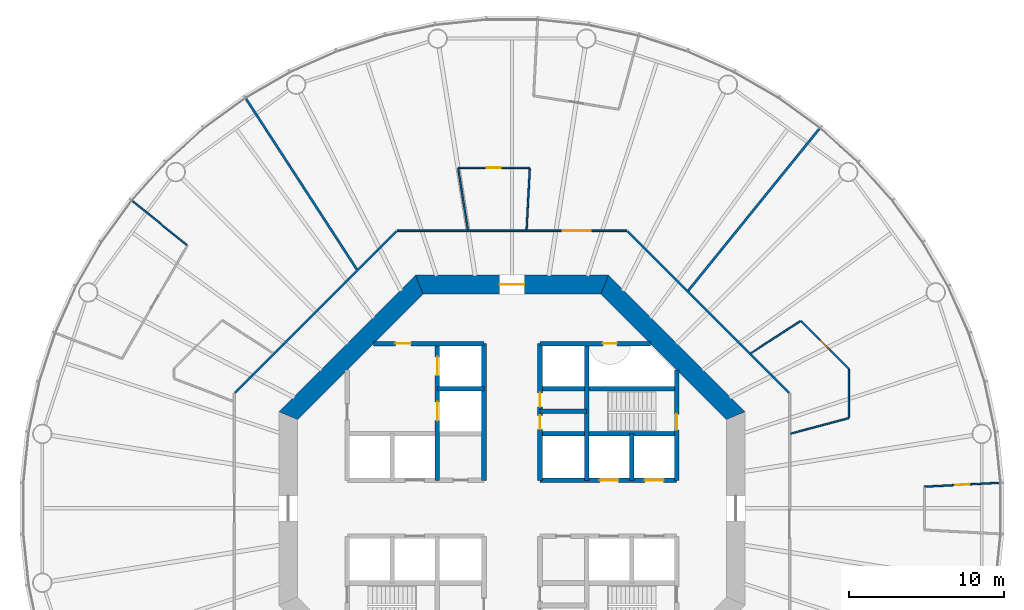
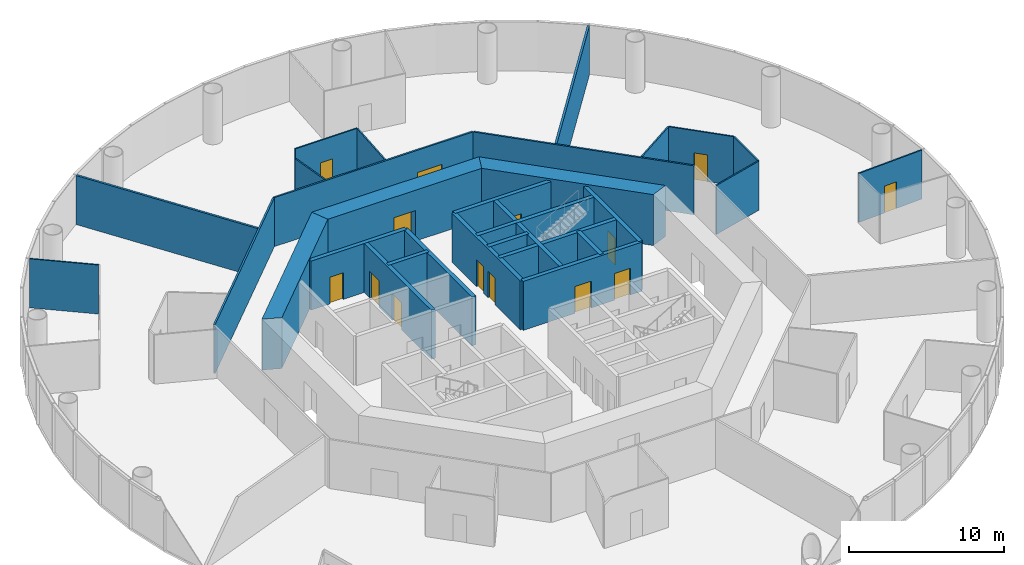
# One storey, part 5 of 13: 30 walls, 14 doors, 14 openings.
"""IFC4 building model written with IfcOpenShell, lengths in metres."""

from ifc_helpers import new_model, si_unit, direction, frame, frame_2d, origin, place, context, subcontext, project, spatial, polyline, rectangle, outline, extrude, material, layer, layer_set, type_object, element, fill, save


model = new_model("IFC4")

# Units and contexts
model_context = context("Model", 3, precision=1e-05, world=origin(), true_north=direction((0.0, 1.0)))
body_context = subcontext(model_context, "Body", "Model", "MODEL_VIEW")
ifc_project = project(units=[si_unit("LENGTHUNIT", "METRE"), si_unit("AREAUNIT", "SQUARE_METRE"), si_unit("VOLUMEUNIT", "CUBIC_METRE"), si_unit("PLANEANGLEUNIT", "RADIAN"), si_unit("MASSUNIT", "GRAM", prefix="KILO")], contexts=[model_context])

# Site, building, storey
site_placement = place(None, origin())
site = spatial("IfcSite", under=ifc_project, at=site_placement, CompositionType="ELEMENT")
building_placement = place(site_placement, origin())
building = spatial("IfcBuilding", under=site, at=building_placement, Name="Entoto Ring Tower", CompositionType="ELEMENT")
storey_placement = place(building_placement, frame((0.0, 0.0, 120.0)))
storey = spatial("IfcBuildingStorey", under=building, at=storey_placement, Name="L27", CompositionType="ELEMENT", Elevation=120.0)

# Wall, opening, door
ifc_material_1 = material(Name="Concrete C40/50", Category="concrete")
ifc_layer_1 = layer(ifc_material_1, 0.300048828125)
ifc_layer_set_1 = layer_set([ifc_layer_1], Name="Concrete C40/50")
wall_type_1 = type_object("IfcWallType", Name="Core enclosure wall 300 mm reinforced concrete", PredefinedType="SOLIDWALL", material=ifc_layer_set_1)
wall_1_placement = place(storey_placement, frame((100.60009765625, 81.800048828125, 0.0), z_axis=(0.0, 0.0, 1.0), x_axis=(0.0, 1.0, 0.0)))
wall_1 = element("IfcWall", 1, at=wall_1_placement, inside=storey, type_object=wall_type_1, Name="wall-L27-002", PredefinedType="SOLIDWALL", context=body_context, shape_type="SweptSolid", body=[
    extrude(rectangle(XDim=7.115966796875, YDim=0.300048828125, at=frame_2d((3.55810546875, 0.0))), origin(), (0.0, 0.0, 1.0), 3.85009765625),
])
opening_1_placement = place(wall_1_placement, frame((3.25, 0.0, 0.0)))
opening_1 = element("IfcOpeningElement", 2, at=opening_1_placement, cuts=wall_1, Name="Opening K-65", PredefinedType="OPENING", context=body_context, shape_type="SweptSolid", body=[
    extrude(rectangle(XDim=1.0, YDim=2.10009765625, at=frame_2d((0.5, 1.050048828125))), frame((0.0, 0.16015625, 0.0), z_axis=(0.0, -1.0, 0.0), x_axis=(1.0, 0.0, 0.0)), (0.0, 0.0, 1.0), 0.320068359375),
])
ifc_material_2 = material(Name="Steel door leaf, fire rated", Category="steel")
ifc_layer_2 = layer(ifc_material_2, 0.050048828125)
ifc_layer_set_2 = layer_set([ifc_layer_2], Name="Steel door leaf, fire rated")
door_type_1 = type_object("IfcDoorType", Name="Fire door FD60 1000 x 2100 single leaf", OperationType="NOTDEFINED", PredefinedType="DOOR", material=ifc_layer_set_2)
door_1_placement = place(opening_1_placement, origin())
door_1 = element("IfcDoor", 3, at=door_1_placement, inside=storey, type_object=door_type_1, Name="Door K-65", OperationType="SINGLE_SWING_RIGHT", OverallHeight=2.10009765625, OverallWidth=1.0, PredefinedType="DOOR", context=body_context, shape_type="SweptSolid", body=[
    extrude(rectangle(XDim=1.0, YDim=2.10009765625, at=frame_2d((0.5, 1.050048828125))), frame((0.0, 0.02490234375, 0.0), z_axis=(0.0, -1.0, 0.0), x_axis=(1.0, 0.0, 0.0)), (0.0, 0.0, 1.0), 0.050048828125),
])
fill(opening_1, door_1)

# Walls
wall_2_placement = place(storey_placement, frame((97.699951171875, 81.800048828125, 0.0), z_axis=(0.0, 0.0, 1.0), x_axis=(0.0, 1.0, 0.0)))
element("IfcWall", 4, at=wall_2_placement, inside=storey, type_object=wall_type_1, Name="wall-L27-004", PredefinedType="SOLIDWALL", context=body_context, shape_type="SweptSolid", body=[
    extrude(rectangle(XDim=3.0, YDim=0.300048828125, at=frame_2d((1.5, 0.0))), origin(), (0.0, 0.0, 1.0), 3.85009765625),
])
wall_3_placement = place(storey_placement, frame((94.800048828125, 81.800048828125, 0.0), z_axis=(0.0, 0.0, 1.0), x_axis=(0.0, 1.0, 0.0)))
element("IfcWall", 5, at=wall_3_placement, inside=storey, type_object=wall_type_1, Name="wall-L27-006", PredefinedType="SOLIDWALL", context=body_context, shape_type="SweptSolid", body=[
    extrude(rectangle(XDim=8.800048828125, YDim=0.300048828125, at=frame_2d((4.39990234375, 0.0))), origin(), (0.0, 0.0, 1.0), 3.85009765625),
])

# Wall, openings, doors
wall_4_placement = place(storey_placement, frame((91.800048828125, 81.800048828125, 0.0), z_axis=(0.0, 0.0, 1.0), x_axis=(0.0, 1.0, 0.0)))
wall_4 = element("IfcWall", 6, at=wall_4_placement, inside=storey, type_object=wall_type_1, Name="wall-L27-008", PredefinedType="SOLIDWALL", context=body_context, shape_type="SweptSolid", body=[
    extrude(rectangle(XDim=8.800048828125, YDim=0.300048828125, at=frame_2d((4.39990234375, 0.0))), origin(), (0.0, 0.0, 1.0), 3.85009765625),
])
opening_2_placement = place(wall_4_placement, frame((3.27490234375, 0.0, 0.0)))
opening_2 = element("IfcOpeningElement", 7, at=opening_2_placement, cuts=wall_4, Name="Opening K-11", PredefinedType="OPENING", context=body_context, shape_type="SweptSolid", body=[
    extrude(rectangle(XDim=0.89990234375, YDim=2.10009765625, at=frame_2d((0.449951171875, 1.050048828125))), frame((0.0, 0.16015625, 0.0), z_axis=(0.0, -1.0, 0.0), x_axis=(1.0, 0.0, 0.0)), (0.0, 0.0, 1.0), 0.320068359375),
])
opening_3_placement = place(wall_4_placement, frame((4.72509765625, 0.0, 0.0)))
opening_3 = element("IfcOpeningElement", 8, at=opening_3_placement, cuts=wall_4, Name="Opening K-12", PredefinedType="OPENING", context=body_context, shape_type="SweptSolid", body=[
    extrude(rectangle(XDim=0.89990234375, YDim=2.10009765625, at=frame_2d((0.449951171875, 1.050048828125))), frame((0.0, 0.16015625, 0.0), z_axis=(0.0, -1.0, 0.0), x_axis=(1.0, 0.0, 0.0)), (0.0, 0.0, 1.0), 0.320068359375),
])
ifc_material_3 = material(Name="Steel door leaf, fire rated", Category="steel")
ifc_layer_3 = layer(ifc_material_3, 0.050048828125)
ifc_layer_set_3 = layer_set([ifc_layer_3], Name="Steel door leaf, fire rated")
door_type_2 = type_object("IfcDoorType", Name="Core door 900 x 2100 single leaf", OperationType="NOTDEFINED", PredefinedType="DOOR", material=ifc_layer_set_3)
door_2_placement = place(opening_2_placement, origin())
door_2 = element("IfcDoor", 9, at=door_2_placement, inside=storey, type_object=door_type_2, Name="Door K-11", OperationType="SINGLE_SWING_RIGHT", OverallHeight=2.10009765625, OverallWidth=0.89990234375, PredefinedType="DOOR", context=body_context, shape_type="SweptSolid", body=[
    extrude(rectangle(XDim=0.89990234375, YDim=2.10009765625, at=frame_2d((0.449951171875, 1.050048828125))), frame((0.0, 0.02490234375, 0.0), z_axis=(0.0, -1.0, 0.0), x_axis=(1.0, 0.0, 0.0)), (0.0, 0.0, 1.0), 0.050048828125),
])
fill(opening_2, door_2)
door_3_placement = place(opening_3_placement, origin())
door_3 = element("IfcDoor", 10, at=door_3_placement, inside=storey, type_object=door_type_2, Name="Door K-12", OperationType="SINGLE_SWING_RIGHT", OverallHeight=2.10009765625, OverallWidth=0.89990234375, PredefinedType="DOOR", context=body_context, shape_type="SweptSolid", body=[
    extrude(rectangle(XDim=0.89990234375, YDim=2.10009765625, at=frame_2d((0.449951171875, 1.050048828125))), frame((0.0, 0.02490234375, 0.0), z_axis=(0.0, -1.0, 0.0), x_axis=(1.0, 0.0, 0.0)), (0.0, 0.0, 1.0), 0.050048828125),
])
fill(opening_3, door_3)

# Wall
wall_5_placement = place(storey_placement, frame((88.199951171875, 81.800048828125, 0.0), z_axis=(0.0, 0.0, 1.0), x_axis=(0.0, 1.0, 0.0)))
element("IfcWall", 11, at=wall_5_placement, inside=storey, type_object=wall_type_1, Name="wall-L27-010", PredefinedType="SOLIDWALL", context=body_context, shape_type="SweptSolid", body=[
    extrude(rectangle(XDim=8.800048828125, YDim=0.300048828125, at=frame_2d((4.39990234375, 0.0))), origin(), (0.0, 0.0, 1.0), 3.85009765625),
])

# Wall, openings, doors
wall_6_placement = place(storey_placement, frame((85.199951171875, 81.800048828125, 0.0), z_axis=(0.0, 0.0, 1.0), x_axis=(0.0, 1.0, 0.0)))
wall_6 = element("IfcWall", 12, at=wall_6_placement, inside=storey, type_object=wall_type_1, Name="wall-L27-012", PredefinedType="SOLIDWALL", context=body_context, shape_type="SweptSolid", body=[
    extrude(rectangle(XDim=8.800048828125, YDim=0.300048828125, at=frame_2d((4.39990234375, 0.0))), origin(), (0.0, 0.0, 1.0), 3.85009765625),
])
opening_4_placement = place(wall_6_placement, frame((3.85009765625, 0.0, 0.0)))
opening_4 = element("IfcOpeningElement", 13, at=opening_4_placement, cuts=wall_6, Name="Opening LD", PredefinedType="OPENING", context=body_context, shape_type="SweptSolid", body=[
    extrude(rectangle(XDim=1.199951171875, YDim=2.10009765625, at=frame_2d((0.60009765625, 1.050048828125))), frame((0.0, 0.16015625, 0.0), z_axis=(0.0, -1.0, 0.0), x_axis=(1.0, 0.0, 0.0)), (0.0, 0.0, 1.0), 0.320068359375),
])
opening_5_placement = place(wall_6_placement, frame((6.75, 0.0, 0.0)))
opening_5 = element("IfcOpeningElement", 14, at=opening_5_placement, cuts=wall_6, Name="Opening LD", PredefinedType="OPENING", context=body_context, shape_type="SweptSolid", body=[
    extrude(rectangle(XDim=1.199951171875, YDim=2.10009765625, at=frame_2d((0.60009765625, 1.050048828125))), frame((0.0, 0.16015625, 0.0), z_axis=(0.0, -1.0, 0.0), x_axis=(1.0, 0.0, 0.0)), (0.0, 0.0, 1.0), 0.320068359375),
])
ifc_material_4 = material(Name="Steel and glass door leaf", Category="steel")
ifc_layer_4 = layer(ifc_material_4, 0.050048828125)
ifc_layer_set_4 = layer_set([ifc_layer_4], Name="Steel and glass door leaf")
door_type_3 = type_object("IfcDoorType", Name="Landing door 1200 x 2100 sliding", OperationType="DOUBLE_DOOR_SLIDING", PredefinedType="DOOR", material=ifc_layer_set_4)
door_4_placement = place(opening_4_placement, origin())
door_4 = element("IfcDoor", 15, at=door_4_placement, inside=storey, type_object=door_type_3, Name="Landing door FF1", OperationType="SLIDING_TO_RIGHT", OverallHeight=2.10009765625, OverallWidth=1.199951171875, PredefinedType="DOOR", context=body_context, shape_type="SweptSolid", body=[
    extrude(rectangle(XDim=1.199951171875, YDim=2.10009765625, at=frame_2d((0.60009765625, 1.050048828125))), frame((0.0, 0.02490234375, 0.0), z_axis=(0.0, -1.0, 0.0), x_axis=(1.0, 0.0, 0.0)), (0.0, 0.0, 1.0), 0.050048828125),
])
fill(opening_4, door_4)
door_5_placement = place(opening_5_placement, origin())
door_5 = element("IfcDoor", 16, at=door_5_placement, inside=storey, type_object=door_type_3, Name="Landing door FF2", OperationType="SLIDING_TO_RIGHT", OverallHeight=2.10009765625, OverallWidth=1.199951171875, PredefinedType="DOOR", context=body_context, shape_type="SweptSolid", body=[
    extrude(rectangle(XDim=1.199951171875, YDim=2.10009765625, at=frame_2d((0.60009765625, 1.050048828125))), frame((0.0, 0.02490234375, 0.0), z_axis=(0.0, -1.0, 0.0), x_axis=(1.0, 0.0, 0.0)), (0.0, 0.0, 1.0), 0.050048828125),
])
fill(opening_5, door_5)

wall_7_placement = place(storey_placement, frame((91.800048828125, 81.800048828125, 0.0), z_axis=(0.0, 0.0, 1.0), x_axis=(1.0, 0.0, 0.0)))
wall_7 = element("IfcWall", 17, at=wall_7_placement, inside=storey, type_object=wall_type_1, Name="wall-L27-028", PredefinedType="SOLIDWALL", context=body_context, shape_type="SweptSolid", body=[
    extrude(rectangle(XDim=8.800048828125, YDim=0.300048828125, at=frame_2d((4.39990234375, 0.0))), origin(), (0.0, 0.0, 1.0), 3.85009765625),
])
opening_6_placement = place(wall_7_placement, frame((3.85009765625, 0.0, 0.0)))
opening_6 = element("IfcOpeningElement", 18, at=opening_6_placement, cuts=wall_7, Name="Opening LD", PredefinedType="OPENING", context=body_context, shape_type="SweptSolid", body=[
    extrude(rectangle(XDim=1.199951171875, YDim=2.10009765625, at=frame_2d((0.60009765625, 1.050048828125))), frame((0.0, 0.16015625, 0.0), z_axis=(0.0, -1.0, 0.0), x_axis=(1.0, 0.0, 0.0)), (0.0, 0.0, 1.0), 0.320068359375),
])
opening_7_placement = place(wall_7_placement, frame((6.75, 0.0, 0.0)))
opening_7 = element("IfcOpeningElement", 19, at=opening_7_placement, cuts=wall_7, Name="Opening LD", PredefinedType="OPENING", context=body_context, shape_type="SweptSolid", body=[
    extrude(rectangle(XDim=1.199951171875, YDim=2.10009765625, at=frame_2d((0.60009765625, 1.050048828125))), frame((0.0, 0.16015625, 0.0), z_axis=(0.0, -1.0, 0.0), x_axis=(1.0, 0.0, 0.0)), (0.0, 0.0, 1.0), 0.320068359375),
])
door_6_placement = place(opening_6_placement, origin())
door_6 = element("IfcDoor", 20, at=door_6_placement, inside=storey, type_object=door_type_3, Name="Landing door LB1-LR", OperationType="SLIDING_TO_RIGHT", OverallHeight=2.10009765625, OverallWidth=1.199951171875, PredefinedType="DOOR", context=body_context, shape_type="SweptSolid", body=[
    extrude(rectangle(XDim=1.199951171875, YDim=2.10009765625, at=frame_2d((0.60009765625, 1.050048828125))), frame((0.0, 0.02490234375, 0.0), z_axis=(0.0, -1.0, 0.0), x_axis=(1.0, 0.0, 0.0)), (0.0, 0.0, 1.0), 0.050048828125),
])
fill(opening_6, door_6)
door_7_placement = place(opening_7_placement, origin())
door_7 = element("IfcDoor", 21, at=door_7_placement, inside=storey, type_object=door_type_3, Name="Landing door LB2-LR", OperationType="SLIDING_TO_RIGHT", OverallHeight=2.10009765625, OverallWidth=1.199951171875, PredefinedType="DOOR", context=body_context, shape_type="SweptSolid", body=[
    extrude(rectangle(XDim=1.199951171875, YDim=2.10009765625, at=frame_2d((0.60009765625, 1.050048828125))), frame((0.0, 0.02490234375, 0.0), z_axis=(0.0, -1.0, 0.0), x_axis=(1.0, 0.0, 0.0)), (0.0, 0.0, 1.0), 0.050048828125),
])
fill(opening_7, door_7)

# Walls
wall_8_placement = place(storey_placement, frame((91.800048828125, 84.800048828125, 0.0), z_axis=(0.0, 0.0, 1.0), x_axis=(1.0, 0.0, 0.0)))
element("IfcWall", 22, at=wall_8_placement, inside=storey, type_object=wall_type_1, Name="wall-L27-030", PredefinedType="SOLIDWALL", context=body_context, shape_type="SweptSolid", body=[
    extrude(rectangle(XDim=8.800048828125, YDim=0.300048828125, at=frame_2d((4.39990234375, 0.0))), origin(), (0.0, 0.0, 1.0), 3.85009765625),
])
for number, where, z_axis, x_axis, name in (
    (23, (91.800048828125, 86.25, 0.0), (0.0, 0.0, 1.0), (1.0, 0.0, 0.0), "wall-L27-031"),
    (24, (85.199951171875, 87.699951171875, 0.0), (0.0, 0.0, 1.0), (1.0, 0.0, 0.0), "wall-L27-032"),
):
    element("IfcWall", number, at=place(storey_placement, frame(where, z_axis=z_axis, x_axis=x_axis)), inside=storey, type_object=wall_type_1, Name=name, PredefinedType="SOLIDWALL", context=body_context, shape_type="SweptSolid", body=[
        extrude(rectangle(XDim=3.0, YDim=0.300048828125, at=frame_2d((1.5, 0.0))), origin(), (0.0, 0.0, 1.0), 3.85009765625),
    ])
wall_9_placement = place(storey_placement, frame((91.800048828125, 87.699951171875, 0.0), z_axis=(0.0, 0.0, 1.0), x_axis=(1.0, 0.0, 0.0)))
element("IfcWall", 25, at=wall_9_placement, inside=storey, type_object=wall_type_1, Name="wall-L27-033", PredefinedType="SOLIDWALL", context=body_context, shape_type="SweptSolid", body=[
    extrude(rectangle(XDim=8.800048828125, YDim=0.300048828125, at=frame_2d((4.39990234375, 0.0))), origin(), (0.0, 0.0, 1.0), 3.85009765625),
])

# Wall, opening, door
wall_10_placement = place(storey_placement, frame((81.083984375, 90.60009765625, 0.0), z_axis=(0.0, 0.0, 1.0), x_axis=(1.0, 0.0, 0.0)))
wall_10 = element("IfcWall", 26, at=wall_10_placement, inside=storey, type_object=wall_type_1, Name="wall-L27-034", PredefinedType="SOLIDWALL", context=body_context, shape_type="SweptSolid", body=[
    extrude(rectangle(XDim=7.115966796875, YDim=0.300048828125, at=frame_2d((3.55810546875, 0.0))), origin(), (0.0, 0.0, 1.0), 3.85009765625),
])
opening_8_placement = place(wall_10_placement, frame((1.416015625, 0.0, 0.0)))
opening_8 = element("IfcOpeningElement", 27, at=opening_8_placement, cuts=wall_10, Name="Opening K-27", PredefinedType="OPENING", context=body_context, shape_type="SweptSolid", body=[
    extrude(rectangle(XDim=1.0, YDim=2.10009765625, at=frame_2d((0.5, 1.050048828125))), frame((0.0, 0.16015625, 0.0), z_axis=(0.0, -1.0, 0.0), x_axis=(1.0, 0.0, 0.0)), (0.0, 0.0, 1.0), 0.320068359375),
])
door_8_placement = place(opening_8_placement, frame((1.0, 0.0, 0.0), z_axis=(0.0, 0.0, 1.0), x_axis=(-1.0, 0.0, 0.0)))
door_8 = element("IfcDoor", 28, at=door_8_placement, inside=storey, type_object=door_type_1, Name="Door K-27", OperationType="SINGLE_SWING_RIGHT", OverallHeight=2.10009765625, OverallWidth=1.0, PredefinedType="DOOR", context=body_context, shape_type="SweptSolid", body=[
    extrude(rectangle(XDim=1.0, YDim=2.10009765625, at=frame_2d((0.5, 1.050048828125))), frame((0.0, 0.02490234375, 0.0), z_axis=(0.0, -1.0, 0.0), x_axis=(1.0, 0.0, 0.0)), (0.0, 0.0, 1.0), 0.050048828125),
])
fill(opening_8, door_8)

wall_11_placement = place(storey_placement, frame((91.800048828125, 90.60009765625, 0.0), z_axis=(0.0, 0.0, 1.0), x_axis=(1.0, 0.0, 0.0)))
wall_11 = element("IfcWall", 29, at=wall_11_placement, inside=storey, type_object=wall_type_1, Name="wall-L27-035", PredefinedType="SOLIDWALL", context=body_context, shape_type="SweptSolid", body=[
    extrude(rectangle(XDim=7.115966796875, YDim=0.300048828125, at=frame_2d((3.55810546875, 0.0))), origin(), (0.0, 0.0, 1.0), 3.85009765625),
])
opening_9_placement = place(wall_11_placement, frame((4.050048828125, 0.0, 0.0)))
opening_9 = element("IfcOpeningElement", 30, at=opening_9_placement, cuts=wall_11, Name="Opening K-72", PredefinedType="OPENING", context=body_context, shape_type="SweptSolid", body=[
    extrude(rectangle(XDim=0.89990234375, YDim=2.10009765625, at=frame_2d((0.449951171875, 1.050048828125))), frame((0.0, 0.16015625, 0.0), z_axis=(0.0, -1.0, 0.0), x_axis=(1.0, 0.0, 0.0)), (0.0, 0.0, 1.0), 0.320068359375),
])
ifc_material_5 = material(Name="Steel door leaf, fire rated", Category="steel")
ifc_layer_5 = layer(ifc_material_5, 0.050048828125)
ifc_layer_set_5 = layer_set([ifc_layer_5], Name="Steel door leaf, fire rated")
door_type_4 = type_object("IfcDoorType", Name="Riser door FD60 900 x 2100 single leaf", OperationType="NOTDEFINED", PredefinedType="DOOR", material=ifc_layer_set_5)
door_9_placement = place(opening_9_placement, frame((0.89990234375, 0.0, 0.0), z_axis=(0.0, 0.0, 1.0), x_axis=(-1.0, 0.0, 0.0)))
door_9 = element("IfcDoor", 31, at=door_9_placement, inside=storey, type_object=door_type_4, Name="Door K-72", OperationType="SINGLE_SWING_LEFT", OverallHeight=2.10009765625, OverallWidth=0.89990234375, PredefinedType="DOOR", context=body_context, shape_type="SweptSolid", body=[
    extrude(rectangle(XDim=0.89990234375, YDim=2.10009765625, at=frame_2d((0.449951171875, 1.050048828125))), frame((0.0, 0.02490234375, 0.0), z_axis=(0.0, -1.0, 0.0), x_axis=(1.0, 0.0, 0.0)), (0.0, 0.0, 1.0), 0.050048828125),
])
fill(opening_9, door_9)

# Wall
ifc_material_6 = material(Name="Concrete C60/75", Category="concrete")
ifc_layer_6 = layer(ifc_material_6, 1.199951171875)
ifc_layer_set_6 = layer_set([ifc_layer_6], Name="Concrete C60/75")
wall_type_2 = type_object("IfcWallType", Name="Core shear wall 1200 mm reinforced concrete C60/75", PredefinedType="SHEAR", material=ifc_layer_set_6)
wall_12_placement = place(storey_placement, frame((104.39990234375, 85.964599609375, 0.0), z_axis=(0.0, 0.0, 1.0), x_axis=(-0.707106781187, 0.707106781187, 0.0)))
element("IfcWall", 32, at=wall_12_placement, inside=storey, type_object=wall_type_2, Name="wall-L27-core-1", PredefinedType="SHEAR", context=body_context, shape_type="SweptSolid", body=[
    extrude(outline(polyline([(-0.24853515625, -0.60009765625), (12.177734375, -0.60009765625), (11.6806640625, 0.60009765625), (0.24853515625, 0.60009765625), (-0.24853515625, -0.60009765625)])), origin(), (0.0, 0.0, 1.0), 4.0),
])

# Wall, opening, door
wall_13_placement = place(storey_placement, frame((95.964599609375, 94.39990234375, 0.0), z_axis=(0.0, 0.0, 1.0), x_axis=(-1.0, 0.0, 0.0)))
wall_13 = element("IfcWall", 33, at=wall_13_placement, inside=storey, type_object=wall_type_2, Name="wall-L27-core-2", PredefinedType="SHEAR", context=body_context, shape_type="SweptSolid", body=[
    extrude(outline(polyline([(-0.24853515625, -0.60009765625), (12.177734375, -0.60009765625), (11.6806640625, 0.60009765625), (0.24853515625, 0.60009765625), (-0.24853515625, -0.60009765625)])), origin(), (0.0, 0.0, 1.0), 4.0),
])
opening_10_placement = place(wall_13_placement, frame((5.164794921875, 0.0, 0.0)))
opening_10 = element("IfcOpeningElement", 34, at=opening_10_placement, cuts=wall_13, Name="Opening K-02", PredefinedType="OPENING", context=body_context, shape_type="SweptSolid", body=[
    extrude(rectangle(XDim=1.60009765625, YDim=2.39990234375, at=frame_2d((0.800048828125, 1.199951171875))), frame((0.0, 0.60986328125, 0.0), z_axis=(0.0, -1.0, 0.0), x_axis=(1.0, 0.0, 0.0)), (0.0, 0.0, 1.0), 1.219970703125),
])
ifc_material_7 = material(Name="Steel door leaf, fire rated", Category="steel")
ifc_layer_7 = layer(ifc_material_7, 0.050048828125)
ifc_layer_set_7 = layer_set([ifc_layer_7], Name="Steel door leaf, fire rated")
door_type_5 = type_object("IfcDoorType", Name="Entrance door FD60 1600 x 2400 double leaf", OperationType="DOUBLE_DOOR_SINGLE_SWING", PredefinedType="DOOR", material=ifc_layer_set_7)
door_10_placement = place(opening_10_placement, origin())
door_10 = element("IfcDoor", 35, at=door_10_placement, inside=storey, type_object=door_type_5, Name="Entrance door K-02", OperationType="DOUBLE_DOOR_SINGLE_SWING", OverallHeight=2.39990234375, OverallWidth=1.60009765625, PredefinedType="DOOR", context=body_context, shape_type="SweptSolid", body=[
    extrude(rectangle(XDim=1.60009765625, YDim=2.39990234375, at=frame_2d((0.800048828125, 1.199951171875))), frame((0.0, 0.02490234375, 0.0), z_axis=(0.0, -1.0, 0.0), x_axis=(1.0, 0.0, 0.0)), (0.0, 0.0, 1.0), 0.050048828125),
])
fill(opening_10, door_10)

# Wall
wall_14_placement = place(storey_placement, frame((84.035400390625, 94.39990234375, 0.0), z_axis=(0.0, 0.0, 1.0), x_axis=(-0.707106781187, -0.707106781187, 0.0)))
element("IfcWall", 36, at=wall_14_placement, inside=storey, type_object=wall_type_2, Name="wall-L27-core-3", PredefinedType="SHEAR", context=body_context, shape_type="SweptSolid", body=[
    extrude(outline(polyline([(-0.24853515625, -0.60009765625), (12.177734375, -0.60009765625), (11.6806640625, 0.60009765625), (0.24853515625, 0.60009765625), (-0.24853515625, -0.60009765625)])), origin(), (0.0, 0.0, 1.0), 4.0),
])

# Wall, opening, door
ifc_material_8 = material(Name="Fire-resisting plasterboard on steel studs", Category="steel")
ifc_layer_8 = layer(ifc_material_8, 0.125)
ifc_layer_set_8 = layer_set([ifc_layer_8], Name="Fire-resisting plasterboard on steel studs")
wall_type_3 = type_object("IfcWallType", Name="Corridor wall 125 mm one-hour plasterboard on steel studs", PredefinedType="PARTITIONING", material=ifc_layer_set_8)
wall_15_placement = place(storey_placement, frame((82.60107421875, 97.862548828125, 0.0), z_axis=(0.0, 0.0, 1.0), x_axis=(1.0, 0.0, 0.0)))
wall_15 = element("IfcWall", 37, at=wall_15_placement, inside=storey, type_object=wall_type_3, Name="partition-L27-003", PredefinedType="PARTITIONING", context=body_context, shape_type="SweptSolid", body=[
    extrude(rectangle(XDim=14.7978515625, YDim=0.125, at=frame_2d((7.39892578125, 0.0))), origin(), (0.0, 0.0, 1.0), 3.85009765625),
])
opening_11_placement = place(wall_15_placement, frame((10.66650390625, 0.0, 0.0)))
opening_11 = element("IfcOpeningElement", 38, at=opening_11_placement, cuts=wall_15, Name="Opening A11-D04", PredefinedType="OPENING", context=body_context, shape_type="SweptSolid", body=[
    extrude(rectangle(XDim=1.800048828125, YDim=2.10009765625, at=frame_2d((0.89990234375, 1.050048828125))), frame((0.0, 0.072509765625, 0.0), z_axis=(0.0, -1.0, 0.0), x_axis=(1.0, 0.0, 0.0)), (0.0, 0.0, 1.0), 0.14501953125),
])
ifc_material_9 = material(Name="Fire-resisting timber door set", Category="wood")
door_type_6 = type_object("IfcDoorType", Name="Door 1800 x 2100 double leaf FD30S fire door", OperationType="DOUBLE_DOOR_SINGLE_SWING", PredefinedType="DOOR", material=ifc_material_9)
door_11_placement = place(opening_11_placement, origin())
door_11 = element("IfcDoor", 39, at=door_11_placement, inside=storey, type_object=door_type_6, Name="Door A11-D04", OperationType="DOUBLE_DOOR_SINGLE_SWING", OverallHeight=2.10009765625, OverallWidth=1.800048828125, PredefinedType="DOOR", context=body_context, shape_type="SweptSolid", body=[
    extrude(rectangle(XDim=1.800048828125, YDim=2.10009765625, at=frame_2d((0.89990234375, 1.050048828125))), frame((0.0, 0.02490234375, 0.0), z_axis=(0.0, -1.0, 0.0), x_axis=(1.0, 0.0, 0.0)), (0.0, 0.0, 1.0), 0.050048828125),
])
fill(opening_11, door_11)

# Walls
for number, where, z_axis, x_axis, name in (
    (40, (72.168701171875, 87.429931640625, 0.0), (0.0, 0.0, 1.0), (0.707106781187, 0.707106781187, 0.0), "partition-L27-005"),
    (41, (107.831298828125, 87.429931640625, 0.0), (0.0, 0.0, 1.0), (-0.707106781187, 0.707106781187, 0.0), "partition-L27-008"),
):
    element("IfcWall", number, at=place(storey_placement, frame(where, z_axis=z_axis, x_axis=x_axis)), inside=storey, type_object=wall_type_3, Name=name, PredefinedType="PARTITIONING", context=body_context, shape_type="SweptSolid", body=[
        extrude(rectangle(XDim=14.709716796875, YDim=0.125, at=frame_2d((7.35498046875, 0.0))), origin(), (0.0, 0.0, 1.0), 3.85009765625),
    ])

# Wall, opening, door
ifc_material_10 = material(Name="Plasterboard on steel studs", Category="steel")
ifc_layer_9 = layer(ifc_material_10, 0.10009765625)
ifc_layer_set_9 = layer_set([ifc_layer_9], Name="Plasterboard on steel studs")
wall_type_4 = type_object("IfcWallType", Name="Partition 100 mm plasterboard on steel studs", PredefinedType="PARTITIONING", material=ifc_layer_set_9)
wall_16_placement = place(storey_placement, frame((116.543701171875, 81.39111328125, 0.0), z_axis=(0.0, 0.0, 1.0), x_axis=(0.998629047007, 0.052345262185, 0.0)))
wall_16 = element("IfcWall", 42, at=wall_16_placement, inside=storey, type_object=wall_type_4, Name="partition-L27-020", PredefinedType="PARTITIONING", context=body_context, shape_type="SweptSolid", body=[
    extrude(rectangle(XDim=4.85986328125, YDim=0.10009765625, at=frame_2d((2.429931640625, 0.0))), origin(), (0.0, 0.0, 1.0), 3.85009765625),
])
opening_12_placement = place(wall_16_placement, frame((1.97998046875, 0.0, 0.0)))
opening_12 = element("IfcOpeningElement", 43, at=opening_12_placement, cuts=wall_16, Name="Opening A11-D03", PredefinedType="OPENING", context=body_context, shape_type="SweptSolid", body=[
    extrude(rectangle(XDim=0.89990234375, YDim=2.10009765625, at=frame_2d((0.449951171875, 1.050048828125))), frame((0.0, 0.06005859375, 0.0), z_axis=(0.0, -1.0, 0.0), x_axis=(1.0, 0.0, 0.0)), (0.0, 0.0, 1.0), 0.1201171875),
])
ifc_material_11 = material(Name="Veneered timber door leaf in timber frame", Category="wood")
door_type_7 = type_object("IfcDoorType", Name="Door 900 x 2100 single leaf timber veneer", OperationType="NOTDEFINED", PredefinedType="DOOR", material=ifc_material_11)
door_12_placement = place(opening_12_placement, frame((0.89990234375, 0.0, 0.0), z_axis=(0.0, 0.0, 1.0), x_axis=(-1.0, 0.0, 0.0)))
door_12 = element("IfcDoor", 44, at=door_12_placement, inside=storey, type_object=door_type_7, Name="Door A11-D03", OperationType="SINGLE_SWING_LEFT", OverallHeight=2.10009765625, OverallWidth=0.89990234375, PredefinedType="DOOR", context=body_context, shape_type="SweptSolid", body=[
    extrude(rectangle(XDim=0.89990234375, YDim=2.10009765625, at=frame_2d((0.449951171875, 1.050048828125))), frame((0.0, 0.02490234375, 0.0), z_axis=(0.0, -1.0, 0.0), x_axis=(1.0, 0.0, 0.0)), (0.0, 0.0, 1.0), 0.050048828125),
])
fill(opening_12, door_12)

wall_17_placement = place(storey_placement, frame((86.529296875, 101.91259765625, 0.0), z_axis=(0.0, 0.0, 1.0), x_axis=(1.0, 0.0, 0.0)))
wall_17 = element("IfcWall", 45, at=wall_17_placement, inside=storey, type_object=wall_type_4, Name="partition-L27-026", PredefinedType="PARTITIONING", context=body_context, shape_type="SweptSolid", body=[
    extrude(rectangle(XDim=4.619140625, YDim=0.10009765625, at=frame_2d((2.3095703125, 0.0))), origin(), (0.0, 0.0, 1.0), 3.85009765625),
])
opening_13_placement = place(wall_17_placement, frame((1.859619140625, 0.0, 0.0)))
opening_13 = element("IfcOpeningElement", 46, at=opening_13_placement, cuts=wall_17, Name="Opening A11-D05", PredefinedType="OPENING", context=body_context, shape_type="SweptSolid", body=[
    extrude(rectangle(XDim=0.89990234375, YDim=2.10009765625, at=frame_2d((0.449951171875, 1.050048828125))), frame((0.0, 0.06005859375, 0.0), z_axis=(0.0, -1.0, 0.0), x_axis=(1.0, 0.0, 0.0)), (0.0, 0.0, 1.0), 0.1201171875),
])
door_13_placement = place(opening_13_placement, frame((0.89990234375, 0.0, 0.0), z_axis=(0.0, 0.0, 1.0), x_axis=(-1.0, 0.0, 0.0)))
door_13 = element("IfcDoor", 47, at=door_13_placement, inside=storey, type_object=door_type_7, Name="Door A11-D05", OperationType="SINGLE_SWING_RIGHT", OverallHeight=2.10009765625, OverallWidth=0.89990234375, PredefinedType="DOOR", context=body_context, shape_type="SweptSolid", body=[
    extrude(rectangle(XDim=0.89990234375, YDim=2.10009765625, at=frame_2d((0.449951171875, 1.050048828125))), frame((0.0, 0.02490234375, 0.0), z_axis=(0.0, -1.0, 0.0), x_axis=(1.0, 0.0, 0.0)), (0.0, 0.0, 1.0), 0.050048828125),
])
fill(opening_13, door_13)

# Wall
wall_18_placement = place(storey_placement, frame((69.072021484375, 96.947265625, 0.0), z_axis=(0.0, 0.0, 1.0), x_axis=(-0.777164197558, 0.629297870674, 0.0)))
element("IfcWall", 48, at=wall_18_placement, inside=storey, type_object=wall_type_4, Name="partition-L27-028", PredefinedType="PARTITIONING", context=body_context, shape_type="SweptSolid", body=[
    extrude(rectangle(XDim=4.5107421875, YDim=0.10009765625, at=frame_2d((2.25537109375, 0.0))), origin(), (0.0, 0.0, 1.0), 3.85009765625),
])

# Wall, opening, door
wall_19_placement = place(storey_placement, frame((111.672607421875, 88.97705078125, 0.0), z_axis=(0.0, 0.0, 1.0), x_axis=(-0.707106781187, 0.707106781187, 0.0)))
wall_19 = element("IfcWall", 49, at=wall_19_placement, inside=storey, type_object=wall_type_4, Name="partition-L27-036", PredefinedType="PARTITIONING", context=body_context, shape_type="SweptSolid", body=[
    extrude(rectangle(XDim=4.370361328125, YDim=0.10009765625, at=frame_2d((2.18505859375, 0.0))), origin(), (0.0, 0.0, 1.0), 3.85009765625),
])
opening_14_placement = place(wall_19_placement, frame((1.735107421875, 0.0, 0.0)))
opening_14 = element("IfcOpeningElement", 50, at=opening_14_placement, cuts=wall_19, Name="Opening A11-D02", PredefinedType="OPENING", context=body_context, shape_type="SweptSolid", body=[
    extrude(rectangle(XDim=0.89990234375, YDim=2.10009765625, at=frame_2d((0.449951171875, 1.050048828125))), frame((0.0, 0.06005859375, 0.0), z_axis=(0.0, -1.0, 0.0), x_axis=(1.0, 0.0, 0.0)), (0.0, 0.0, 1.0), 0.1201171875),
])
door_14_placement = place(opening_14_placement, origin())
door_14 = element("IfcDoor", 51, at=door_14_placement, inside=storey, type_object=door_type_7, Name="Door A11-D02", OperationType="SINGLE_SWING_RIGHT", OverallHeight=2.10009765625, OverallWidth=0.89990234375, PredefinedType="DOOR", context=body_context, shape_type="SweptSolid", body=[
    extrude(rectangle(XDim=0.89990234375, YDim=2.10009765625, at=frame_2d((0.449951171875, 1.050048828125))), frame((0.0, 0.02490234375, 0.0), z_axis=(0.0, -1.0, 0.0), x_axis=(1.0, 0.0, 0.0)), (0.0, 0.0, 1.0), 0.050048828125),
])
fill(opening_14, door_14)

# Walls
wall_20_placement = place(storey_placement, frame((90.939453125, 97.927490234375, 0.0), z_axis=(0.0, 0.0, 1.0), x_axis=(0.052327788451, 0.998629962777, 0.0)))
element("IfcWall", 52, at=wall_20_placement, inside=storey, type_object=wall_type_4, Name="partition-L27-040", PredefinedType="PARTITIONING", context=body_context, shape_type="SweptSolid", body=[
    extrude(rectangle(XDim=3.937744140625, YDim=0.10009765625, at=frame_2d((1.96875, 0.0))), origin(), (0.0, 0.0, 1.0), 3.85009765625),
])
wall_21_placement = place(storey_placement, frame((107.937744140625, 84.806396484375, 0.0), z_axis=(0.0, 0.0, 1.0), x_axis=(0.965927195574, 0.258813934806, 0.0)))
element("IfcWall", 53, at=wall_21_placement, inside=storey, type_object=wall_type_4, Name="partition-L27-042", PredefinedType="PARTITIONING", context=body_context, shape_type="SweptSolid", body=[
    extrude(rectangle(XDim=3.86669921875, YDim=0.10009765625, at=frame_2d((1.933349609375, 0.0))), origin(), (0.0, 0.0, 1.0), 3.85009765625),
])
wall_22_placement = place(storey_placement, frame((105.377685546875, 89.986572265625, 0.0), z_axis=(0.0, 0.0, 1.0), x_axis=(0.838700828567, 0.54459243491, 0.0)))
element("IfcWall", 54, at=wall_22_placement, inside=storey, type_object=wall_type_4, Name="partition-L27-043", PredefinedType="PARTITIONING", context=body_context, shape_type="SweptSolid", body=[
    extrude(rectangle(XDim=3.77197265625, YDim=0.10009765625, at=frame_2d((1.885986328125, 0.0))), origin(), (0.0, 0.0, 1.0), 3.85009765625),
])
wall_23_placement = place(storey_placement, frame((111.672607421875, 85.855224609375, 0.0), z_axis=(0.0, 0.0, 1.0), x_axis=(0.0, 1.0, 0.0)))
element("IfcWall", 55, at=wall_23_placement, inside=storey, type_object=wall_type_4, Name="partition-L27-046", PredefinedType="PARTITIONING", context=body_context, shape_type="SweptSolid", body=[
    extrude(rectangle(XDim=3.086669921875, YDim=0.10009765625, at=frame_2d((1.54345703125, 0.0))), origin(), (0.0, 0.0, 1.0), 3.85009765625),
])
ifc_material_12 = material(Name="Plasterboard on steel studs", Category="steel")
ifc_layer_10 = layer(ifc_material_12, 0.10009765625)
ifc_layer_set_10 = layer_set([ifc_layer_10], Name="Plasterboard on steel studs")
wall_type_5 = type_object("IfcWallType", Name="Partition 100 mm plasterboard on steel studs, 3097 mm high", PredefinedType="PARTITIONING", material=ifc_layer_set_10)
wall_24_placement = place(storey_placement, frame((87.15966796875, 97.9326171875, 0.0), z_axis=(0.0, 0.0, 1.0), x_axis=(-0.156407713448, 0.98769257726, 0.0)))
element("IfcWall", 56, at=wall_24_placement, inside=storey, type_object=wall_type_5, Name="partition-L27-039", PredefinedType="PARTITIONING", context=body_context, shape_type="SweptSolid", body=[
    extrude(rectangle(XDim=3.970947265625, YDim=0.10009765625, at=frame_2d((1.9853515625, 0.0))), origin(), (0.0, 0.0, 1.0), 3.096923828125),
])
ifc_material_13 = material(Name="Fire-resisting acoustic plasterboard on steel studs", Category="steel")
ifc_layer_11 = layer(ifc_material_13, 0.14990234375)
ifc_layer_set_11 = layer_set([ifc_layer_11], Name="Fire-resisting acoustic plasterboard on steel studs")
wall_type_6 = type_object("IfcWallType", Name="Party wall 150 mm one-hour acoustic plasterboard on steel studs", PredefinedType="PARTITIONING", material=ifc_layer_set_11)
wall_25_placement = place(storey_placement, frame((101.34765625, 94.01318359375, 0.0), z_axis=(0.0, 0.0, 1.0), x_axis=(0.629318168553, 0.777147761194, 0.0)))
element("IfcWall", 57, at=wall_25_placement, inside=storey, type_object=wall_type_6, Name="partition-L27-009", PredefinedType="PARTITIONING", context=body_context, shape_type="SweptSolid", body=[
    extrude(rectangle(XDim=13.408447265625, YDim=0.14990234375, at=frame_2d((6.7041015625, 0.0))), origin(), (0.0, 0.0, 1.0), 3.85009765625),
])
wall_26_placement = place(storey_placement, frame((80.010498046875, 95.38232421875, 0.0), z_axis=(0.0, 0.0, 1.0), x_axis=(-0.544633876721, 0.838673917758, 0.0)))
element("IfcWall", 58, at=wall_26_placement, inside=storey, type_object=wall_type_6, Name="partition-L27-010", PredefinedType="PARTITIONING", context=body_context, shape_type="SweptSolid", body=[
    extrude(rectangle(XDim=13.098876953125, YDim=0.14990234375, at=frame_2d((6.54931640625, 0.0))), origin(), (0.0, 0.0, 1.0), 3.85009765625),
])

save(model, "model.ifc")
